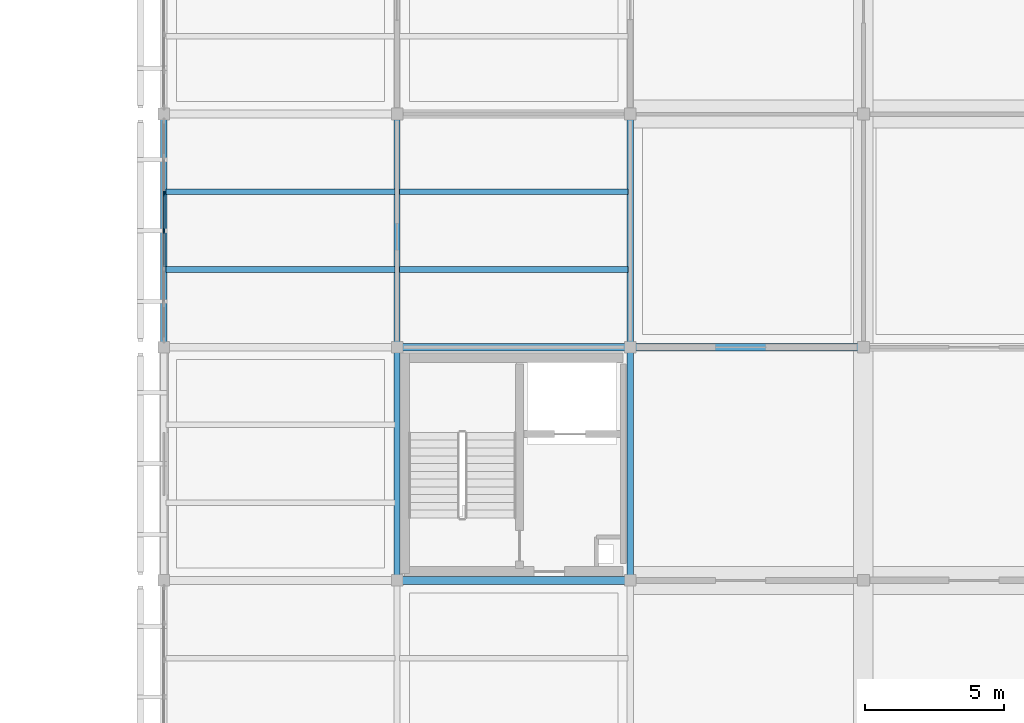
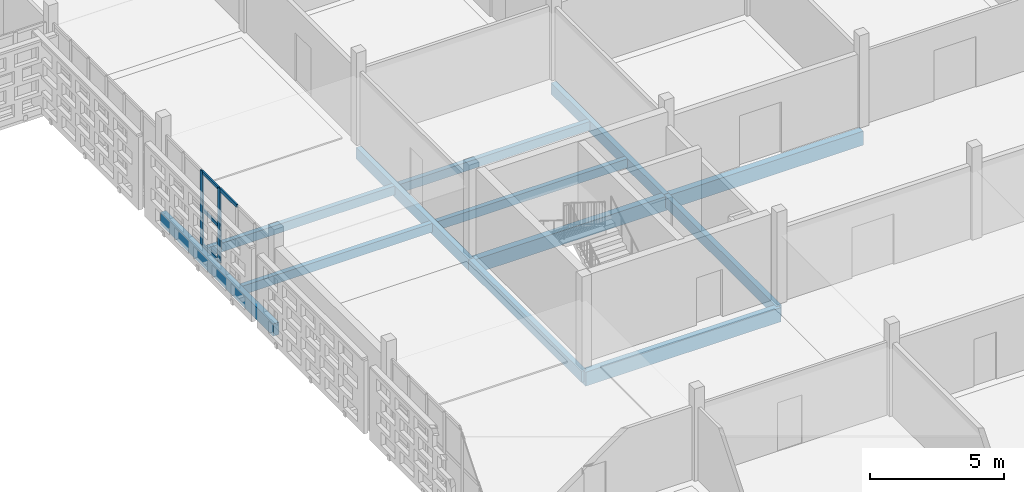
# One storey, part 18 of 166: 12 beams, 6 members, 1 element without a shape of its own.
"""IFC4 building model written with IfcOpenShell, lengths in metres."""

from ifc_helpers import new_model, si_unit, direction, frame, origin, origin_2d, place, context, subcontext, project, spatial, rectangle, extrude, material, layer, layer_set, material_profile, profile_set, type_object, element, aggregate, save


model = new_model("IFC4")

# Units and contexts
model_context = context("Model", 3, precision=1e-05, world=origin(), true_north=direction((0.0, 1.0)))
body_context = subcontext(model_context, "Body", "Model", "MODEL_VIEW")
ifc_project = project(units=[si_unit("LENGTHUNIT", "METRE"), si_unit("AREAUNIT", "SQUARE_METRE"), si_unit("VOLUMEUNIT", "CUBIC_METRE"), si_unit("PLANEANGLEUNIT", "RADIAN"), si_unit("MASSUNIT", "GRAM", prefix="KILO")], contexts=[model_context])

# Site, building, storey
site_placement = place(None, origin())
site = spatial("IfcSite", under=ifc_project, at=site_placement, CompositionType="ELEMENT")
building_placement = place(site_placement, origin())
building = spatial("IfcBuilding", under=site, at=building_placement, Name="Varnapada Polytechnic", CompositionType="ELEMENT")
storey_placement = place(building_placement, frame((0.0, 0.0, 9.60009765625)))
storey = spatial("IfcBuildingStorey", under=building, at=storey_placement, Name="L02", CompositionType="ELEMENT", Elevation=9.60009765625)

# Beams
ifc_material_1 = material(Name="Glulam GL32h", Category="wood")
ifc_material_profile_1 = material_profile(ifc_material_1, rectangle(XDim=0.280029296875, YDim=0.639892578125, at=origin_2d()), Name="GL 280x640")
ifc_profile_set_1 = profile_set([ifc_material_profile_1], Name="Glulam GL32h")
beam_type_1 = type_object("IfcBeamType", Name="Laboratory primary glulam girder GG-02 (GL 280x640)", PredefinedType="BEAM", material=ifc_profile_set_1)
for number, where, z_axis, x_axis, name in (
    (1, (16.800048828125, 16.800048828125, -0.56005859375), (1.0, 0.0, 0.0), (0.0, 1.0, 0.0), "L02 beam X 3-4 at Y3"),
    (2, (16.800048828125, 25.199951171875, -0.56005859375), (1.0, 0.0, 0.0), (0.0, 1.0, 0.0), "L02 beam X 3-4 at Y4"),
):
    element("IfcBeam", number, at=place(storey_placement, frame(where, z_axis=z_axis, x_axis=x_axis)), inside=storey, type_object=beam_type_1, Name=name, PredefinedType="BEAM", context=body_context, shape_type="SweptSolid", body=[
        extrude(rectangle(XDim=0.280029296875, YDim=0.639892578125, at=origin_2d()), origin(), (0.0, 0.0, 1.0), 8.39990234375),
    ])
beam_1_placement = place(storey_placement, frame((25.199951171875, 25.199951171875, -0.56005859375), z_axis=(1.0, 0.0, 0.0), x_axis=(0.0, 1.0, 0.0)))
element("IfcBeam", 3, at=beam_1_placement, inside=storey, type_object=beam_type_1, Name="L02 beam X 4-5 at Y4", PredefinedType="BEAM", context=body_context, shape_type="SweptSolid", body=[
    extrude(rectangle(XDim=0.280029296875, YDim=0.639892578125, at=origin_2d()), origin(), (0.0, 0.0, 1.0), 8.400146484375),
])
ifc_material_profile_2 = material_profile(ifc_material_1, rectangle(XDim=0.219970703125, YDim=0.52001953125, at=origin_2d()), Name="GL 220x520")
ifc_profile_set_2 = profile_set([ifc_material_profile_2], Name="Glulam GL32h")
beam_type_2 = type_object("IfcBeamType", Name="Laboratory transverse glulam beam GB-12 (GL 220x520)", PredefinedType="BEAM", material=ifc_profile_set_2)
beam_2_placement = place(storey_placement, frame((16.800048828125, 16.800048828125, -0.5), z_axis=(0.0, 1.0, 0.0), x_axis=(-1.0, 0.0, 0.0)))
element("IfcBeam", 4, at=beam_2_placement, inside=storey, type_object=beam_type_2, Name="L02 beam Y 3-4 at X3", PredefinedType="BEAM", context=body_context, shape_type="SweptSolid", body=[
    extrude(rectangle(XDim=0.219970703125, YDim=0.52001953125, at=origin_2d()), origin(), (0.0, 0.0, 1.0), 8.39990234375),
])
beam_3_placement = place(storey_placement, frame((16.800048828125, 25.199951171875, -0.5), z_axis=(0.0, 1.0, 0.0), x_axis=(-1.0, 0.0, 0.0)))
element("IfcBeam", 5, at=beam_3_placement, inside=storey, type_object=beam_type_2, Name="L02 beam Y 4-5 at X3", PredefinedType="BEAM", context=body_context, shape_type="SweptSolid", body=[
    extrude(rectangle(XDim=0.219970703125, YDim=0.52001953125, at=origin_2d()), origin(), (0.0, 0.0, 1.0), 8.400146484375),
])
beam_4_placement = place(storey_placement, frame((25.199951171875, 16.800048828125, -0.5), z_axis=(0.0, 1.0, 0.0), x_axis=(-1.0, 0.0, 0.0)))
element("IfcBeam", 6, at=beam_4_placement, inside=storey, type_object=beam_type_2, Name="L02 beam Y 3-4 at X4", PredefinedType="BEAM", context=body_context, shape_type="SweptSolid", body=[
    extrude(rectangle(XDim=0.219970703125, YDim=0.52001953125, at=origin_2d()), origin(), (0.0, 0.0, 1.0), 8.39990234375),
])
beam_5_placement = place(storey_placement, frame((25.199951171875, 25.199951171875, -0.5), z_axis=(0.0, 1.0, 0.0), x_axis=(-1.0, 0.0, 0.0)))
element("IfcBeam", 7, at=beam_5_placement, inside=storey, type_object=beam_type_2, Name="L02 beam Y 4-5 at X4", PredefinedType="BEAM", context=body_context, shape_type="SweptSolid", body=[
    extrude(rectangle(XDim=0.219970703125, YDim=0.52001953125, at=origin_2d()), origin(), (0.0, 0.0, 1.0), 8.400146484375),
])
ifc_material_profile_3 = material_profile(ifc_material_1, rectangle(XDim=0.199951171875, YDim=0.39990234375, at=origin_2d()), Name="GL 200x400")
ifc_profile_set_3 = profile_set([ifc_material_profile_3], Name="Glulam GL32h")
beam_type_3 = type_object("IfcBeamType", Name="Library/laboratory glulam floor joist GJ-01 (GL 200x400)", PredefinedType="JOIST", material=ifc_profile_set_3)
for number, where, z_axis, x_axis, name in (
    (8, (8.47998046875, 28.0, -0.440185546875), (1.0, 0.0, 0.0), (0.0, 1.0, 0.0), "L02 floor joist 2/4.1"),
    (9, (8.47998046875, 30.800048828125, -0.440185546875), (1.0, 0.0, 0.0), (0.0, 1.0, 0.0), "L02 floor joist 2/4.2"),
):
    element("IfcBeam", number, at=place(storey_placement, frame(where, z_axis=z_axis, x_axis=x_axis)), inside=storey, type_object=beam_type_3, Name=name, PredefinedType="JOIST", context=body_context, shape_type="SweptSolid", body=[
        extrude(rectangle(XDim=0.199951171875, YDim=0.39990234375, at=origin_2d()), origin(), (0.0, 0.0, 1.0), 8.239990234375),
    ])
for number, where, z_axis, x_axis, name in (
    (10, (16.8798828125, 28.0, -0.440185546875), (1.0, 0.0, 0.0), (0.0, 1.0, 0.0), "L02 floor joist 3/4.1"),
    (11, (16.8798828125, 30.800048828125, -0.440185546875), (1.0, 0.0, 0.0), (0.0, 1.0, 0.0), "L02 floor joist 3/4.2"),
):
    element("IfcBeam", number, at=place(storey_placement, frame(where, z_axis=z_axis, x_axis=x_axis)), inside=storey, type_object=beam_type_3, Name=name, PredefinedType="JOIST", context=body_context, shape_type="SweptSolid", body=[
        extrude(rectangle(XDim=0.199951171875, YDim=0.39990234375, at=origin_2d()), origin(), (0.0, 0.0, 1.0), 8.240234375),
    ])

# Curtain wall, members
ifc_material_2 = material(Name="Double low-E laminated glass", Category="glass")
ifc_layer = layer(ifc_material_2, 0.179931640625)
ifc_layer_set = layer_set([ifc_layer], Name="Double low-E laminated glass")
curtain_wall_type = type_object("IfcCurtainWallType", Name="Curtain Wall CW-03", PredefinedType="NOTDEFINED", material=ifc_layer_set)
curtain_wall_placement = place(storey_placement, origin())
curtain_wall = element("IfcCurtainWall", 12, at=curtain_wall_placement, inside=storey, type_object=curtain_wall_type, Name="L02 unitised curtain wall CW-03 (139)", PredefinedType="NOTDEFINED")
ifc_material_3 = material(Name="Anodised aluminium", Category="aluminium")
ifc_material_profile_4 = material_profile(ifc_material_3, rectangle(XDim=0.06494140625, YDim=0.179931640625, at=origin_2d()), Name="ALU M65x180")
ifc_profile_set_4 = profile_set([ifc_material_profile_4], Name="Anodised aluminium")
member_type_1 = type_object("IfcMemberType", Name="Mullion M-02", PredefinedType="MULLION", material=ifc_profile_set_4)
member_1_placement = place(storey_placement, frame((8.39990234375, 29.39990234375, 0.0), z_axis=(0.0, 0.0, 1.0), x_axis=(-1.0, 0.0, 0.0)))
member_1 = element("IfcMember", 13, at=member_1_placement, type_object=member_type_1, Name="CW-03 mullion 4", PredefinedType="MULLION", context=body_context, shape_type="SweptSolid", body=[
    extrude(rectangle(XDim=0.06494140625, YDim=0.179931640625, at=origin_2d()), origin(), (0.0, 0.0, 1.0), 3.35986328125),
])
member_2_placement = place(storey_placement, frame((8.39990234375, 30.72998046875, 0.0), z_axis=(0.0, 0.0, 1.0), x_axis=(-1.0, 0.0, 0.0)))
member_2 = element("IfcMember", 14, at=member_2_placement, type_object=member_type_1, Name="CW-03 mullion 5", PredefinedType="MULLION", context=body_context, shape_type="SweptSolid", body=[
    extrude(rectangle(XDim=0.06494140625, YDim=0.179931640625, at=origin_2d()), origin(), (0.0, 0.0, 1.0), 3.35986328125),
])

# Beam
ifc_material_profile_5 = material_profile(ifc_material_1, rectangle(XDim=0.239990234375, YDim=0.56005859375, at=origin_2d()), Name="GL 240x560")
ifc_profile_set_5 = profile_set([ifc_material_profile_5], Name="Glulam GL32h")
beam_type_4 = type_object("IfcBeamType", Name="Perimeter glulam spandrel beam SP-02 (GL 240x560)", PredefinedType="SPANDREL", material=ifc_profile_set_5)
beam_6_placement = place(storey_placement, frame((8.39990234375, 25.199951171875, -0.52001953125), z_axis=(0.0, 1.0, 0.0), x_axis=(-1.0, 0.0, 0.0)))
element("IfcBeam", 15, at=beam_6_placement, inside=storey, type_object=beam_type_4, Name="L02 beam Y 4-5 at X2", PredefinedType="SPANDREL", context=body_context, shape_type="SweptSolid", body=[
    extrude(rectangle(XDim=0.239990234375, YDim=0.56005859375, at=origin_2d()), origin(), (0.0, 0.0, 1.0), 8.400146484375),
])

# Member
ifc_material_profile_6 = material_profile(ifc_material_3, rectangle(XDim=0.06494140625, YDim=0.139892578125, at=origin_2d()), Name="ALU T65x140")
ifc_profile_set_6 = profile_set([ifc_material_profile_6], Name="Anodised aluminium")
member_type_2 = type_object("IfcMemberType", Name="Transom T-02", PredefinedType="USERDEFINED", material=ifc_profile_set_6)
member_3_placement = place(storey_placement, frame((8.39990234375, 28.1025390625, 3.327392578125), z_axis=(0.0, 1.0, 0.0), x_axis=(-1.0, 0.0, 0.0)))
member_3 = element("IfcMember", 16, at=member_3_placement, type_object=member_type_2, Name="CW-03 transom 3.3", ObjectType="TRANSOM", PredefinedType="USERDEFINED", context=body_context, shape_type="SweptSolid", body=[
    extrude(rectangle(XDim=0.06494140625, YDim=0.139892578125, at=origin_2d()), origin(), (0.0, 0.0, 1.0), 1.264892578125),
])

member_4_placement = place(storey_placement, frame((8.39990234375, 29.4326171875, 0.032470703125), z_axis=(0.0, 1.0, 0.0), x_axis=(-1.0, 0.0, 0.0)))
member_4 = element("IfcMember", 17, at=member_4_placement, type_object=member_type_2, Name="CW-03 transom 4.1", ObjectType="TRANSOM", PredefinedType="USERDEFINED", context=body_context, shape_type="SweptSolid", body=[
    extrude(rectangle(XDim=0.06494140625, YDim=0.139892578125, at=origin_2d()), origin(), (0.0, 0.0, 1.0), 1.264892578125),
])

member_5_placement = place(storey_placement, frame((8.39990234375, 29.4326171875, 1.61279296875), z_axis=(0.0, 1.0, 0.0), x_axis=(-1.0, 0.0, 0.0)))
member_5 = element("IfcMember", 18, at=member_5_placement, type_object=member_type_2, Name="CW-03 transom 4.2", ObjectType="TRANSOM", PredefinedType="USERDEFINED", context=body_context, shape_type="SweptSolid", body=[
    extrude(rectangle(XDim=0.06494140625, YDim=0.139892578125, at=origin_2d()), origin(), (0.0, 0.0, 1.0), 1.264892578125),
])

member_6_placement = place(storey_placement, frame((8.39990234375, 29.4326171875, 3.327392578125), z_axis=(0.0, 1.0, 0.0), x_axis=(-1.0, 0.0, 0.0)))
member_6 = element("IfcMember", 19, at=member_6_placement, type_object=member_type_2, Name="CW-03 transom 4.3", ObjectType="TRANSOM", PredefinedType="USERDEFINED", context=body_context, shape_type="SweptSolid", body=[
    extrude(rectangle(XDim=0.06494140625, YDim=0.139892578125, at=origin_2d()), origin(), (0.0, 0.0, 1.0), 1.264892578125),
])

aggregate(curtain_wall, [member_1, member_2, member_3, member_4, member_5, member_6])

save(model, "model.ifc")
